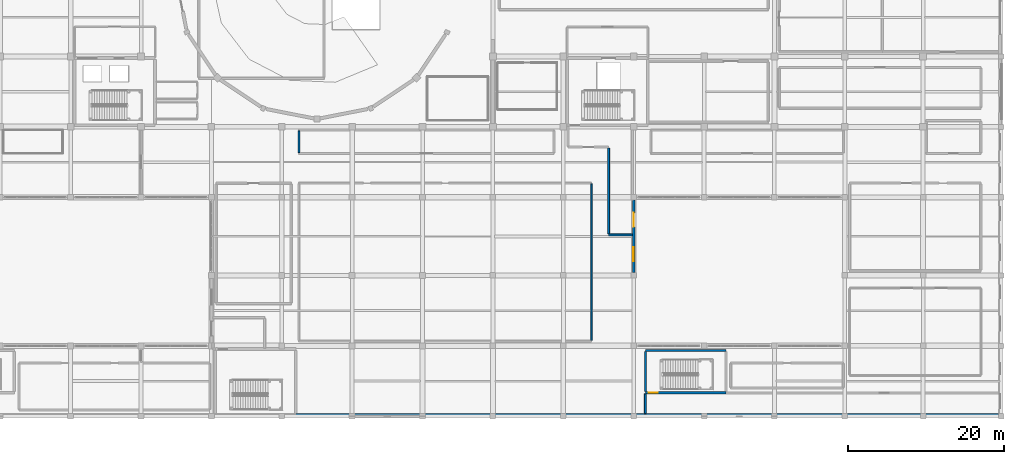
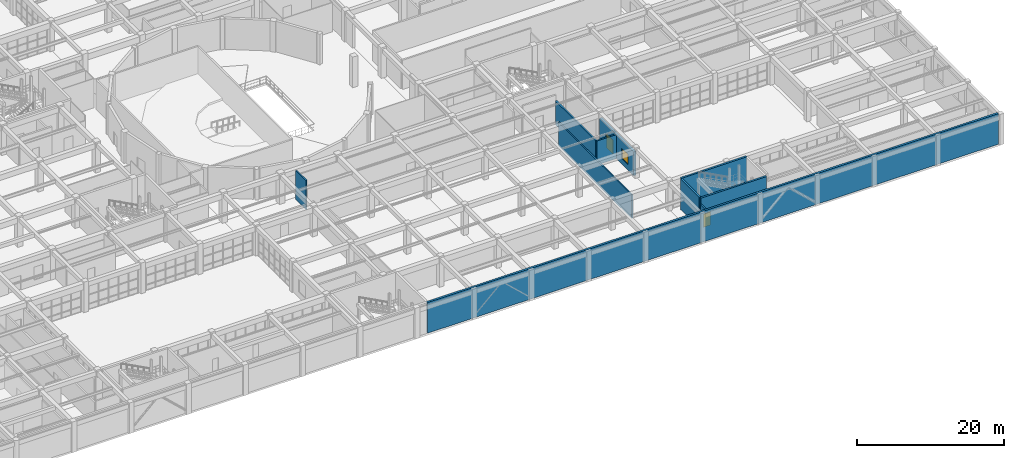
# One storey, part 104 of 128: 10 walls, 2 doors, 1 window, 3 openings.
"""IFC4 building model written with IfcOpenShell, lengths in metres."""

from ifc_helpers import new_model, si_unit, direction, frame, frame_2d, origin, place, context, subcontext, project, spatial, rectangle, extrude, material, layer, layer_set, type_object, element, fill, save


model = new_model("IFC4")

# Units and contexts
model_context = context("Model", 3, precision=1e-05, world=origin(), true_north=direction((0.0, 1.0)))
body_context = subcontext(model_context, "Body", "Model", "MODEL_VIEW")
ifc_project = project(units=[si_unit("LENGTHUNIT", "METRE"), si_unit("AREAUNIT", "SQUARE_METRE"), si_unit("VOLUMEUNIT", "CUBIC_METRE"), si_unit("PLANEANGLEUNIT", "RADIAN"), si_unit("MASSUNIT", "GRAM", prefix="KILO")], contexts=[model_context])

# Site, building, storey
site_placement = place(None, origin())
site = spatial("IfcSite", under=ifc_project, at=site_placement, CompositionType="ELEMENT")
building_placement = place(site_placement, origin())
building = spatial("IfcBuilding", under=site, at=building_placement, Name="Miravela Opera House", CompositionType="ELEMENT")
storey_placement = place(building_placement, origin())
storey = spatial("IfcBuildingStorey", under=building, at=storey_placement, Name="L00", CompositionType="ELEMENT", Elevation=0.0)

# Wall, openings, door, window
ifc_material_1 = material(Name="Dark Guatemalan volcanic basalt stone ashlar", Category="masonry")
ifc_layer_1 = layer(ifc_material_1, 0.360107421875)
ifc_layer_set_1 = layer_set([ifc_layer_1])
wall_type_1 = type_object("IfcWallType", Name="ARC-EW-BASALT-360", PredefinedType="STANDARD", material=ifc_layer_set_1)
wall_1_placement = place(storey_placement, frame((117.0, 18.35009765625, 0.0), z_axis=(0.0, 0.0, 1.0), x_axis=(0.0, 1.0, 0.0)))
wall_1 = element("IfcWall", 1, at=wall_1_placement, inside=storey, type_object=wall_type_1, Name="Stair ST-04 Southeast Court Exit Wall", PredefinedType="STANDARD", context=body_context, shape_type="SweptSolid", body=[
    extrude(rectangle(XDim=9.2998046875, YDim=0.360107421875, at=frame_2d((4.64990234375, 0.0))), origin(), (0.0, 0.0, 1.0), 3.97998046875),
])
opening_1_placement = place(wall_1_placement, frame((5.85009765625, 0.0, 0.0)))
opening_1 = element("IfcOpeningElement", 2, at=opening_1_placement, cuts=wall_1, Name="Opening EX-02", PredefinedType="OPENING", context=body_context, shape_type="SweptSolid", body=[
    extrude(rectangle(XDim=1.800048828125, YDim=2.300048828125, at=frame_2d((0.89990234375, 1.14990234375))), frame((0.0, 0.18994140625, 0.0), z_axis=(0.0, -1.0, 0.0), x_axis=(1.0, 0.0, 0.0)), (0.0, 0.0, 1.0), 0.380126953125),
])
opening_2_placement = place(wall_1_placement, frame((1.5, 0.0, 0.89990234375)))
opening_2 = element("IfcOpeningElement", 3, at=opening_2_placement, cuts=wall_1, Name="Opening W-32", PredefinedType="OPENING", context=body_context, shape_type="SweptSolid", body=[
    extrude(rectangle(XDim=1.760009765625, YDim=1.719970703125, at=frame_2d((0.8798828125, 0.85986328125))), frame((0.0, 0.18994140625, 0.0), z_axis=(0.0, -1.0, 0.0), x_axis=(1.0, 0.0, 0.0)), (0.0, 0.0, 1.0), 0.380126953125),
])
ifc_material_2 = material(Name="Anodised architectural bronze aluminium 6063-T6", Category="aluminium")
door_type_1 = type_object("IfcDoorType", Name="ARC-EXD-1800X2300", OperationType="NOTDEFINED", PredefinedType="DOOR", material=ifc_material_2)
door_1_placement = place(opening_1_placement, frame((1.800048828125, 0.0, 0.0), z_axis=(0.0, 0.0, 1.0), x_axis=(-1.0, 0.0, 0.0)))
door_1 = element("IfcDoor", 4, at=door_1_placement, inside=storey, type_object=door_type_1, Name="Stair ST-04 Southeast Court Exit EXD-L00-028", OperationType="DOUBLE_DOOR_SINGLE_SWING", OverallHeight=2.300048828125, OverallWidth=1.800048828125, PredefinedType="DOOR", context=body_context, shape_type="SweptSolid", body=[
    extrude(rectangle(XDim=1.800048828125, YDim=2.300048828125, at=frame_2d((0.89990234375, 1.14990234375))), frame((0.0, 0.02490234375, 0.0), z_axis=(0.0, -1.0, 0.0), x_axis=(1.0, 0.0, 0.0)), (0.0, 0.0, 1.0), 0.050048828125),
])
fill(opening_1, door_1)
ifc_material_3 = material(Name="Bronze-anodised aluminium and acoustic low-E glass", Category="aluminium")
window_type = type_object("IfcWindowType", Name="ARC-WIN-32", PartitioningType="DOUBLE_PANEL_VERTICAL", PredefinedType="WINDOW", material=ifc_material_3)
window_placement = place(opening_2_placement, origin())
window = element("IfcWindow", 5, at=window_placement, inside=storey, type_object=window_type, Name="Window W-32 #023", OverallHeight=1.719970703125, OverallWidth=1.760009765625, PartitioningType="DOUBLE_PANEL_VERTICAL", PredefinedType="WINDOW", context=body_context, shape_type="SweptSolid", body=[
    extrude(rectangle(XDim=1.760009765625, YDim=1.719970703125, at=frame_2d((0.8798828125, 0.85986328125))), frame((0.0, 0.030029296875, 0.0), z_axis=(0.0, -1.0, 0.0), x_axis=(1.0, 0.0, 0.0)), (0.0, 0.0, 1.0), 0.06005859375),
])
fill(opening_2, window)

# Walls
ifc_material_4 = material(Name="Corridor fire-resisting masonry partition", Category="masonry")
ifc_layer_2 = layer(ifc_material_4, 0.18994140625)
ifc_layer_set_2 = layer_set([ifc_layer_2])
wall_type_2 = type_object("IfcWallType", Name="ARC-PT-190", PredefinedType="PARTITIONING", material=ifc_layer_set_2)
wall_2_placement = place(storey_placement, frame((111.60009765625, 9.695068359375, 0.0), z_axis=(0.0, 0.0, 1.0), x_axis=(0.0, 1.0, 0.0)))
element("IfcWall", 6, at=wall_2_placement, inside=storey, type_object=wall_type_2, Name="Scenery Assembly Workshop Partition East", PredefinedType="PARTITIONING", context=body_context, shape_type="SweptSolid", body=[
    extrude(rectangle(XDim=20.010009765625, YDim=0.18994140625, at=frame_2d((10.0048828125, 0.0))), origin(), (0.0, 0.0, 1.0), 3.929931640625),
])
ifc_material_5 = material(Name="Workshop fire-resisting block partition")
ifc_layer_3 = layer(ifc_material_5, 0.2099609375)
ifc_layer_set_3 = layer_set([ifc_layer_3])
wall_type_3 = type_object("IfcWallType", Name="ARC-PT-210", PredefinedType="PARTITIONING", material=ifc_layer_set_3)
wall_3_placement = place(storey_placement, frame((74.199951171875, 33.705078125, 0.0), z_axis=(0.0, 0.0, 1.0), x_axis=(0.0, 1.0, 0.0)))
element("IfcWall", 7, at=wall_3_placement, inside=storey, type_object=wall_type_3, Name="Stage Lighting Instrument Maintenance Room Partition West", PredefinedType="PARTITIONING", context=body_context, shape_type="SweptSolid", body=[
    extrude(rectangle(XDim=2.7900390625, YDim=0.2099609375, at=frame_2d((1.39501953125, 0.0))), origin(), (0.0, 0.0, 1.0), 4.85009765625),
])
ifc_material_6 = material(Name="Firefighting lobby compartment wall")
ifc_layer_4 = layer(ifc_material_6, 0.25)
ifc_layer_set_4 = layer_set([ifc_layer_4])
wall_type_4 = type_object("IfcWallType", Name="ARC-PT-220", PredefinedType="PARTITIONING", material=ifc_layer_set_4)
wall_4_placement = place(storey_placement, frame((113.800048828125, 34.27490234375, 0.0), z_axis=(0.0, 0.0, 1.0), x_axis=(0.0, -1.0, 0.0)))
element("IfcWall", 8, at=wall_4_placement, inside=storey, type_object=wall_type_4, Name="Protected Exit Passageway ST-04 Partition Seg2", PredefinedType="PARTITIONING", context=body_context, shape_type="SweptSolid", body=[
    extrude(rectangle(XDim=10.949951171875, YDim=0.25, at=frame_2d((5.47509765625, 0.0))), origin(), (0.0, 0.0, 1.0), 3.929931640625),
])
wall_5_placement = place(storey_placement, frame((113.800048828125, 23.199951171875, 0.0), z_axis=(0.0, 0.0, 1.0), x_axis=(1.0, 0.0, 0.0)))
element("IfcWall", 9, at=wall_5_placement, inside=storey, type_object=wall_type_4, Name="Protected Exit Passageway ST-04 Partition Seg3", PredefinedType="PARTITIONING", context=body_context, shape_type="SweptSolid", body=[
    extrude(rectangle(XDim=3.02001953125, YDim=0.25, at=frame_2d((1.510009765625, 0.0))), origin(), (0.0, 0.0, 1.0), 3.97998046875),
])
wall_6_placement = place(storey_placement, frame((118.5, 2.875, 0.0), z_axis=(0.0, 0.0, 1.0), x_axis=(0.0, -1.0, 0.0)))
element("IfcWall", 10, at=wall_6_placement, inside=storey, type_object=wall_type_4, Name="Protected Exit Passageway ST-10 Partition Seg5", PredefinedType="PARTITIONING", context=body_context, shape_type="SweptSolid", body=[
    extrude(rectangle(XDim=2.554931640625, YDim=0.25, at=frame_2d((1.27734375, 0.0))), origin(), (0.0, 0.0, 1.0), 4.080078125),
])
ifc_material_7 = material(Name="Concrete C35/45", Category="concrete")
ifc_layer_5 = layer(ifc_material_7, 0.320068359375)
ifc_layer_set_5 = layer_set([ifc_layer_5])
wall_type_5 = type_object("IfcWallType", Name="STR-WALL-PARTY-320", PredefinedType="SHEAR", material=ifc_layer_set_5)
wall_7_placement = place(storey_placement, frame((73.77490234375, 0.159912109375, 0.0), z_axis=(0.0, 0.0, 1.0), x_axis=(1.0, 0.0, 0.0)))
element("IfcWall", 11, at=wall_7_placement, inside=storey, type_object=wall_type_5, Name="South Lot-Line Blind Fire Party Wall East (L00)", PredefinedType="SHEAR", context=body_context, shape_type="SweptSolid", body=[
    extrude(rectangle(XDim=89.875, YDim=0.320068359375, at=frame_2d((44.9375, 0.0))), origin(), (0.0, 0.0, 1.0), 5.10009765625),
])

# Wall, opening, door
ifc_layer_6 = layer(ifc_material_7, 0.300048828125)
ifc_layer_set_6 = layer_set([ifc_layer_6])
wall_type_6 = type_object("IfcWallType", Name="STR-WALL-WING-300", PredefinedType="SHEAR", material=ifc_layer_set_6)
wall_8_placement = place(storey_placement, frame((118.5, 3.0, 0.0), z_axis=(0.0, 0.0, 1.0), x_axis=(1.0, 0.0, 0.0)))
wall_8 = element("IfcWall", 12, at=wall_8_placement, inside=storey, type_object=wall_type_6, Name="Core ST-10 Shear Wall South (L00)", PredefinedType="SHEAR", context=body_context, shape_type="SweptSolid", body=[
    extrude(rectangle(XDim=10.300048828125, YDim=0.300048828125, at=frame_2d((5.14990234375, 0.0))), origin(), (0.0, 0.0, 1.0), 5.10009765625),
])
opening_3_placement = place(wall_8_placement, frame((0.449951171875, 0.0, 0.0)))
opening_3 = element("IfcOpeningElement", 13, at=opening_3_placement, cuts=wall_8, Name="Opening FD-01", PredefinedType="OPENING", context=body_context, shape_type="SweptSolid", body=[
    extrude(rectangle(XDim=1.10009765625, YDim=2.199951171875, at=frame_2d((0.550048828125, 1.10009765625))), frame((0.0, 0.159912109375, 0.0), z_axis=(0.0, -1.0, 0.0), x_axis=(1.0, 0.0, 0.0)), (0.0, 0.0, 1.0), 0.320068359375),
])
ifc_material_8 = material(Name="Fire-rated steel/hardwood exit stair door", Category="steel")
door_type_2 = type_object("IfcDoorType", Name="ARC-FD-1100X2200", OperationType="NOTDEFINED", PredefinedType="DOOR", material=ifc_material_8)
door_2_placement = place(opening_3_placement, origin())
door_2 = element("IfcDoor", 14, at=door_2_placement, inside=storey, type_object=door_type_2, Name="Exit Stair ST-10 Discharge Door (L00) IDR-L00-0055", OperationType="SINGLE_SWING_LEFT", OverallHeight=2.199951171875, OverallWidth=1.10009765625, PredefinedType="DOOR", context=body_context, shape_type="SweptSolid", body=[
    extrude(rectangle(XDim=1.10009765625, YDim=2.199951171875, at=frame_2d((0.550048828125, 1.10009765625))), frame((0.0, 0.02490234375, 0.0), z_axis=(0.0, -1.0, 0.0), x_axis=(1.0, 0.0, 0.0)), (0.0, 0.0, 1.0), 0.050048828125),
])
fill(opening_3, door_2)

# Walls
wall_9_placement = place(storey_placement, frame((118.5, 8.39990234375, 0.0), z_axis=(0.0, 0.0, 1.0), x_axis=(1.0, 0.0, 0.0)))
element("IfcWall", 15, at=wall_9_placement, inside=storey, type_object=wall_type_6, Name="Core ST-10 Shear Wall North (L00)", PredefinedType="SHEAR", context=body_context, shape_type="SweptSolid", body=[
    extrude(rectangle(XDim=10.300048828125, YDim=0.300048828125, at=frame_2d((5.14990234375, 0.0))), origin(), (0.0, 0.0, 1.0), 5.10009765625),
])
wall_10_placement = place(storey_placement, frame((118.5, 3.14990234375, 0.0), z_axis=(0.0, 0.0, 1.0), x_axis=(0.0, 1.0, 0.0)))
element("IfcWall", 16, at=wall_10_placement, inside=storey, type_object=wall_type_6, Name="Core ST-10 Shear Wall West (L00)", PredefinedType="SHEAR", context=body_context, shape_type="SweptSolid", body=[
    extrude(rectangle(XDim=5.10009765625, YDim=0.300048828125, at=frame_2d((2.550048828125, 0.0))), origin(), (0.0, 0.0, 1.0), 5.10009765625),
])

save(model, "model.ifc")
